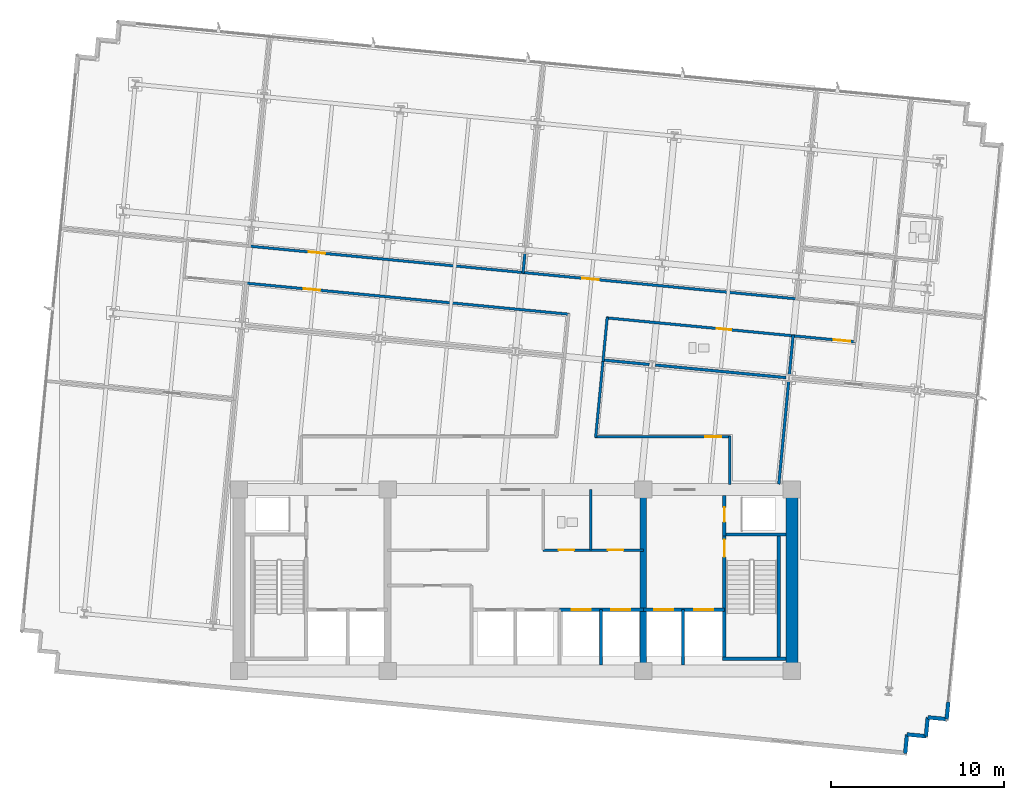
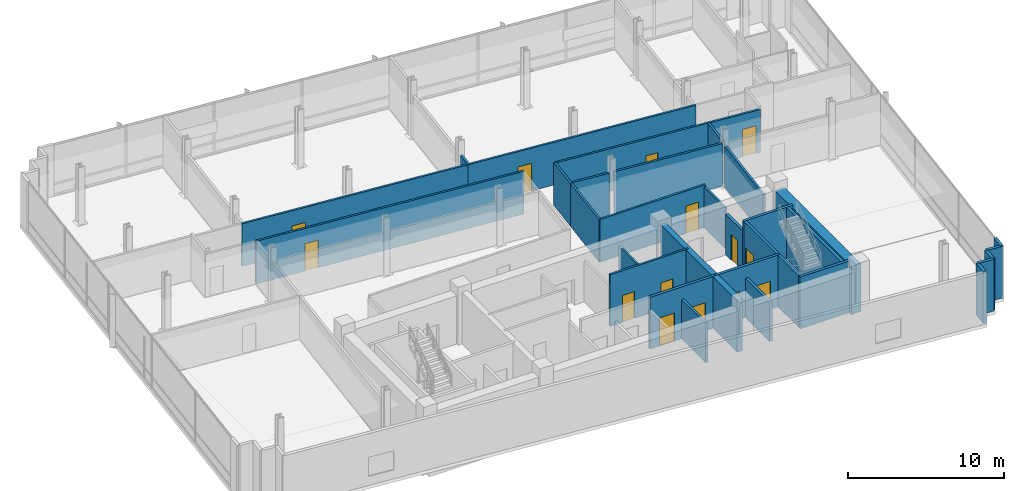
# One storey, part 12 of 17: 32 walls, 14 doors, 14 openings.
"""IFC4 building model written with IfcOpenShell, lengths in metres."""

import ifcopenshell
import ifcopenshell.guid

model = None  # the IFC model being written
_history = None  # IfcOwnerHistory: only IFC2X3 demands one
_inside = {}  # id of a spatial element -> (the spatial element, [elements in it])
_under = {}  # id of a project, library or spatial element -> (it, [spatial elements below it])
_declared = {}  # id of a project -> (the project, [libraries it declares])
_typed = {}  # id of a type object -> (the type object, [elements of that type])
_made_of = {}  # id of a material, layer set ... -> (it, [elements and type objects made of it])


def new_model(schema):
    """Start an empty IFC model of exactly this schema.

    Asked for "IFC4X3", IfcOpenShell would pick the latest addendum, in which some entities
    have other attributes; the version numbers below select the first issue.
    IFC2X3 requires an IfcOwnerHistory on every rooted entity: one is made here for all.
    """
    global model, _history
    if schema == "IFC4X3":
        model = ifcopenshell.file(schema_version=(4, 3, 0, 0))
    else:
        model = ifcopenshell.file(schema=schema)
    _inside.clear()
    _under.clear()
    _declared.clear()
    _typed.clear()
    _made_of.clear()
    _history = None
    if model.schema == "IFC2X3":
        org = make("IfcOrganization", Name="unknown")
        user = make(
            "IfcPersonAndOrganization",
            ThePerson=make("IfcPerson", FamilyName="unknown"),
            TheOrganization=org,
        )
        app = make(
            "IfcApplication",
            ApplicationDeveloper=org,
            Version="unknown",
            ApplicationFullName="unknown",
            ApplicationIdentifier="unknown",
        )
        _history = make(
            "IfcOwnerHistory",
            OwningUser=user,
            OwningApplication=app,
            ChangeAction="ADDED",
            CreationDate=0,
        )
    return model


def make(cls, **values):
    """One entity of the class cls with the attributes given. An attribute that is None is left unset."""
    return model.create_entity(
        cls, **{name: value for name, value in values.items() if value is not None}
    )


def rooted(cls, **values):
    """An entity with a GlobalId (a new one), such as an element, a storey or a relation."""
    return make(cls, GlobalId=ifcopenshell.guid.new(), OwnerHistory=_history, **values)


def si_unit(unit_type, name, prefix=None):
    """IfcSIUnit, for example si_unit("LENGTHUNIT", "METRE", prefix="MILLI")."""
    return make("IfcSIUnit", UnitType=unit_type, Prefix=prefix, Name=name)


def assignment(units):
    """IfcUnitAssignment: the units of a project."""
    return None if units is None else make("IfcUnitAssignment", Units=units)


def point(xyz):
    """IfcCartesianPoint."""
    return None if xyz is None else make("IfcCartesianPoint", Coordinates=xyz)


def direction(xyz):
    """IfcDirection."""
    return None if xyz is None else make("IfcDirection", DirectionRatios=xyz)


def frame(location, z_axis=None, x_axis=None):
    """IfcAxis2Placement3D, a coordinate frame: its origin and axes. An axis left out is left unset."""
    return make(
        "IfcAxis2Placement3D",
        Location=point(location),
        Axis=direction(z_axis),
        RefDirection=direction(x_axis),
    )


def frame_2d(location, x_axis=None):
    """IfcAxis2Placement2D, a coordinate frame in the plane: its origin and x axis."""
    return make(
        "IfcAxis2Placement2D", Location=point(location), RefDirection=direction(x_axis)
    )


def origin():
    """The frame at (0, 0, 0) with its axes left unset."""
    return frame((0.0, 0.0, 0.0))


def place(relative_to, where):
    """IfcLocalPlacement: puts the frame where relative to a parent placement (None: the world)."""
    return make(
        "IfcLocalPlacement", PlacementRelTo=relative_to, RelativePlacement=where
    )


def context(
    kind, dimensions, precision=None, world=None, true_north=None, identifier=None
):
    """IfcGeometricRepresentationContext, for example the 3D "Model" context."""
    return make(
        "IfcGeometricRepresentationContext",
        ContextIdentifier=identifier,
        ContextType=kind,
        CoordinateSpaceDimension=dimensions,
        Precision=precision,
        WorldCoordinateSystem=world,
        TrueNorth=true_north,
    )


def subcontext(parent, identifier, kind, view, scale=None):
    """IfcGeometricRepresentationSubContext, for example "Body" below "Model"."""
    return make(
        "IfcGeometricRepresentationSubContext",
        ContextIdentifier=identifier,
        ContextType=kind,
        ParentContext=parent,
        TargetScale=scale,
        TargetView=view,
    )


def project(units=None, contexts=None):
    """IfcProject with its units and contexts."""
    return rooted(
        "IfcProject",
        Name="project",
        RepresentationContexts=contexts,
        UnitsInContext=assignment(units),
    )


def spatial(cls, under=None, at=None, **own):
    """A site, building, storey or space (cls), placed at a placement, below another one or the project."""
    s = rooted(cls, ObjectPlacement=at, **own)
    if under is not None:
        _under.setdefault(under.id(), (under, []))[1].append(s)
    return s


def profile(cls, at=None, kind="AREA", **sizes):
    """A parametric profile (cls). Its sizes go by their IFC names, for example OverallWidth=200.0."""
    return make(cls, ProfileType=kind, Position=at, **sizes)


def rectangle(**sizes):
    """IfcRectangleProfileDef."""
    return profile("IfcRectangleProfileDef", **sizes)


def extrude(swept, where, along, depth):
    """IfcExtrudedAreaSolid: the profile swept, set in the frame where, extruded along a direction by depth."""
    return make(
        "IfcExtrudedAreaSolid",
        SweptArea=swept,
        Position=where,
        ExtrudedDirection=direction(along),
        Depth=depth,
    )


def shape(context_of_items, identifier, shape_type, items):
    """IfcShapeRepresentation: the items that make up one representation, for example the "Body"."""
    return make(
        "IfcShapeRepresentation",
        ContextOfItems=context_of_items,
        RepresentationIdentifier=identifier,
        RepresentationType=shape_type,
        Items=items,
    )


def material(Name=None, Category=None):
    """IfcMaterial."""
    return make("IfcMaterial", Name=Name, Category=Category)


def layer(
    of_material, thickness, ventilated=None, Name=None, Category=None, Priority=None
):
    """IfcMaterialLayer: one layer of a wall or slab, of a material (None: an air gap)."""
    return make(
        "IfcMaterialLayer",
        Material=of_material,
        LayerThickness=thickness,
        IsVentilated=ventilated,
        Name=Name,
        Category=Category,
        Priority=Priority,
    )


def layer_set(layers, Name=None):
    """IfcMaterialLayerSet."""
    return make("IfcMaterialLayerSet", MaterialLayers=layers, LayerSetName=Name)


def made_of(thing, what):
    """Note that an element or type object is made of a material, layer set ...; save() writes the relation."""
    if what is not None:
        _made_of.setdefault(what.id(), (what, []))[1].append(thing)
    return thing


def type_object(cls, material=None, **own):
    """A type object (cls), such as IfcWallType, which elements share."""
    return made_of(rooted(cls, **own), material)


def element(
    cls,
    number,
    at=None,
    inside=None,
    cuts=None,
    type_object=None,
    material=None,
    context=None,
    identifier="Body",
    shape_type=None,
    held_by="IfcProductDefinitionShape",
    body=None,
    shapes=None,
    **own,
):
    """One element of the class cls, such as IfcWall. Its Tag is "e" and its number.

    at: its placement. inside: the storey or other place that contains it. cuts: it is an
    opening in that element (IfcRelVoidsElement). A single representation is given by context,
    identifier, shape_type and body (its items); several are given by shapes. held_by: the class
    of the entity that holds the representations. save() writes the other relations.
    """
    e = rooted(cls, Tag="e%d" % number, ObjectPlacement=at, **own)
    if body is not None:
        shapes = [shape(context, identifier, shape_type, body)]
    if shapes is not None:
        e.Representation = make(held_by, Representations=shapes)
    if inside is not None:
        _inside.setdefault(inside.id(), (inside, []))[1].append(e)
    if cuts is not None:
        rooted(
            "IfcRelVoidsElement", RelatingBuildingElement=cuts, RelatedOpeningElement=e
        )
    if type_object is not None:
        _typed.setdefault(type_object.id(), (type_object, []))[1].append(e)
    return made_of(e, material)


def fill(opening, filler):
    """IfcRelFillsElement: the door or window that sits in an opening."""
    return rooted(
        "IfcRelFillsElement",
        RelatingOpeningElement=opening,
        RelatedBuildingElement=filler,
    )


def aggregate(whole, parts):
    """IfcRelAggregates: a whole, such as a stair, and the parts it consists of."""
    return rooted("IfcRelAggregates", RelatingObject=whole, RelatedObjects=parts)


def save(model, path):
    """Write the relations noted so far, then the file.

    IfcRelAggregates (storeys below a building ...), IfcRelContainedInSpatialStructure (elements
    in a storey), IfcRelDefinesByType, IfcRelAssociatesMaterial and IfcRelDeclares: one each for
    every whole, place, type object, material and project.
    """
    for whole, parts in _under.values():
        aggregate(whole, parts)
    for where, things in _inside.values():
        rooted(
            "IfcRelContainedInSpatialStructure",
            RelatedElements=things,
            RelatingStructure=where,
        )
    for kind, things in _typed.values():
        rooted("IfcRelDefinesByType", RelatedObjects=things, RelatingType=kind)
    for what, things in _made_of.values():
        rooted("IfcRelAssociatesMaterial", RelatedObjects=things, RelatingMaterial=what)
    for by, libraries in _declared.values():
        rooted("IfcRelDeclares", RelatingContext=by, RelatedDefinitions=libraries)
    model.write(path)


model = new_model("IFC4")

# Units and contexts
model_context = context("Model", 3, precision=1e-05, world=origin(), true_north=direction((0.0, 1.0)))
body_context = subcontext(model_context, "Body", "Model", "MODEL_VIEW")
ifc_project = project(units=[si_unit("LENGTHUNIT", "METRE"), si_unit("AREAUNIT", "SQUARE_METRE"), si_unit("VOLUMEUNIT", "CUBIC_METRE"), si_unit("PLANEANGLEUNIT", "RADIAN"), si_unit("MASSUNIT", "GRAM", prefix="KILO")], contexts=[model_context])

# Site, building, storey
site_placement = place(None, origin())
site = spatial("IfcSite", under=ifc_project, at=site_placement, CompositionType="ELEMENT")
building_placement = place(site_placement, origin())
building = spatial("IfcBuilding", under=site, at=building_placement, Name="Solmavex Isthmus Hotel", CompositionType="ELEMENT")
storey_placement = place(building_placement, frame((0.0, 0.0, 181.800048828125)))
storey = spatial("IfcBuildingStorey", under=building, at=storey_placement, Name="L49", CompositionType="ELEMENT", Elevation=181.800048828125)

# Walls
ifc_material_1 = material(Name="Precast Concrete C40/50", Category="concrete")
ifc_layer_1 = layer(ifc_material_1, 0.25)
ifc_layer_set_1 = layer_set([ifc_layer_1], Name="Precast Concrete C40/50")
wall_type_1 = type_object("IfcWallType", Name="EW-TWR-250", PredefinedType="STANDARD", material=ifc_layer_set_1)
wall_1_placement = place(storey_placement, frame((25.0615234375, -14.804931640625, 0.0), z_axis=(0.0, 0.0, 1.0), x_axis=(-0.095914428506, -0.995389583231, 0.0)))
element("IfcWall", 1, at=wall_1_placement, inside=storey, type_object=wall_type_1, Name="Serrated Corner Facade Panel L49-21", PredefinedType="STANDARD", context=body_context, shape_type="SweptSolid", body=[
    extrude(rectangle(XDim=0.990234375, YDim=0.219970703125, at=frame_2d((0.4951171875, 0.0))), origin(), (0.0, 0.0, 1.0), 4.050048828125),
])
for number, where, z_axis, x_axis, name in (
    (2, (24.966552734375, -15.79052734375, 0.0), (0.0, 0.0, 1.0), (-0.995393156894, 0.095877334176, 0.0), "Serrated Corner Facade Panel L49-22"),
    (3, (23.87158203125, -15.68505859375, 0.0), (0.0, 0.0, 1.0), (-0.095877334176, -0.995393156894, 0.0), "Serrated Corner Facade Panel L49-23"),
    (4, (23.76611328125, -16.780029296875, 0.0), (0.0, 0.0, 1.0), (-0.995393156894, 0.095877334176, 0.0), "Serrated Corner Facade Panel L49-24"),
    (5, (22.671142578125, -16.674560546875, 0.0), (0.0, 0.0, 1.0), (-0.095657429048, -0.995414313875, 0.0), "Serrated Corner Facade Panel L49-25"),
):
    element("IfcWall", number, at=place(storey_placement, frame(where, z_axis=z_axis, x_axis=x_axis)), inside=storey, type_object=wall_type_1, Name=name, PredefinedType="STANDARD", context=body_context, shape_type="SweptSolid", body=[
        extrude(rectangle(XDim=1.10009765625, YDim=0.219970703125, at=frame_2d((0.550048828125, 0.0))), origin(), (0.0, 0.0, 1.0), 4.050048828125),
    ])
ifc_material_2 = material(Name="Gypsum plasterboard lining", Category="gypsum")
ifc_layer_2 = layer(ifc_material_2, 0.159912109375)
ifc_layer_set_2 = layer_set([ifc_layer_2], Name="Gypsum plasterboard lining")
wall_type_2 = type_object("IfcWallType", Name="IW-COMP-160", PredefinedType="PARTITIONING", material=ifc_layer_set_2)
wall_2_placement = place(storey_placement, frame((0.55078125, 11.196044921875, 0.0), z_axis=(0.0, 0.0, 1.0), x_axis=(-0.096017994315, -0.995379598328, 0.0)))
element("IfcWall", 6, at=wall_2_placement, inside=storey, type_object=wall_type_2, Name="Interior Partition Wall W-L49-P023", PredefinedType="PARTITIONING", context=body_context, shape_type="SweptSolid", body=[
    extrude(rectangle(XDim=1.172119140625, YDim=0.159912109375, at=frame_2d((0.5859375, 0.0))), origin(), (0.0, 0.0, 1.0), 3.33935546875),
])
wall_3_placement = place(storey_placement, frame((16.07861328125, 6.44384765625, 0.0), z_axis=(0.0, 0.0, 1.0), x_axis=(-0.095794827695, -0.995401100555, 0.0)))
element("IfcWall", 7, at=wall_3_placement, inside=storey, type_object=wall_type_2, Name="Interior Partition Wall W-L49-P039", PredefinedType="PARTITIONING", context=body_context, shape_type="SweptSolid", body=[
    extrude(rectangle(XDim=2.314208984375, YDim=0.159912109375, at=frame_2d((1.1572265625, 0.0))), origin(), (0.0, 0.0, 1.0), 3.33935546875),
])
wall_4_placement = place(storey_placement, frame((7.745361328125, 4.74462890625, 0.0), z_axis=(0.0, 0.0, 1.0), x_axis=(-0.995392910691, 0.095879890208, 0.0)))
element("IfcWall", 8, at=wall_4_placement, inside=storey, type_object=wall_type_2, Name="Interior Partition Wall W-L49-P040", PredefinedType="PARTITIONING", context=body_context, shape_type="SweptSolid", body=[
    extrude(rectangle(XDim=2.721923828125, YDim=0.159912109375, at=frame_2d((1.36083984375, 0.0))), origin(), (0.0, 0.0, 1.0), 3.33935546875),
])
wall_5_placement = place(storey_placement, frame((15.664794921875, 3.982177734375, 0.0), z_axis=(0.0, 0.0, 1.0), x_axis=(-0.995396667246, 0.095840882902, 0.0)))
element("IfcWall", 9, at=wall_5_placement, inside=storey, type_object=wall_type_2, Name="Interior Partition Wall W-L49-P041", PredefinedType="PARTITIONING", context=body_context, shape_type="SweptSolid", body=[
    extrude(rectangle(XDim=7.603759765625, YDim=0.159912109375, at=frame_2d((3.8017578125, 0.0))), origin(), (0.0, 0.0, 1.0), 3.33935546875),
])
wall_6_placement = place(storey_placement, frame((15.8232421875, 3.7900390625, 0.0), z_axis=(0.0, 0.0, 1.0), x_axis=(-0.095865726078, -0.99539427493, 0.0)))
element("IfcWall", 10, at=wall_6_placement, inside=storey, type_object=wall_type_2, Name="Interior Partition Wall W-L49-P048", PredefinedType="PARTITIONING", context=body_context, shape_type="SweptSolid", body=[
    extrude(rectangle(XDim=6.007568359375, YDim=0.159912109375, at=frame_2d((3.00390625, 0.0))), origin(), (0.0, 0.0, 1.0), 3.195068359375),
])

# Wall, openings, doors
ifc_layer_3 = layer(ifc_material_2, 0.14990234375)
ifc_layer_set_3 = layer_set([ifc_layer_3], Name="Gypsum plasterboard lining")
wall_type_3 = type_object("IfcWallType", Name="IW-CORR-150", PredefinedType="PARTITIONING", material=ifc_layer_set_3)
wall_7_placement = place(storey_placement, frame((1.60009765625, -6.0, 0.0), z_axis=(0.0, 0.0, 1.0), x_axis=(1.0, 0.0, 0.0)))
wall_7 = element("IfcWall", 11, at=wall_7_placement, inside=storey, type_object=wall_type_3, Name="Interior Partition Wall W-L49-BOH-ES", PredefinedType="PARTITIONING", context=body_context, shape_type="SweptSolid", body=[
    extrude(rectangle(XDim=5.7998046875, YDim=0.14990234375, at=frame_2d((2.89990234375, 0.0))), origin(), (0.0, 0.0, 1.0), 4.050048828125),
])
opening_1_placement = place(wall_7_placement, frame((0.89990234375, 0.0, 0.0)))
opening_1 = element("IfcOpeningElement", 12, at=opening_1_placement, cuts=wall_7, Name="Opening ID-C090", PredefinedType="OPENING", context=body_context, shape_type="SweptSolid", body=[
    extrude(rectangle(XDim=0.89990234375, YDim=2.10009765625, at=frame_2d((0.449951171875, 1.050048828125))), frame((0.0, 0.0849609375, 0.0), z_axis=(0.0, -1.0, 0.0), x_axis=(1.0, 0.0, 0.0)), (0.0, 0.0, 1.0), 0.169921875),
])
opening_2_placement = place(wall_7_placement, frame((3.75, 0.0, 0.0)))
opening_2 = element("IfcOpeningElement", 13, at=opening_2_placement, cuts=wall_7, Name="Opening ID-C090", PredefinedType="OPENING", context=body_context, shape_type="SweptSolid", body=[
    extrude(rectangle(XDim=0.89990234375, YDim=2.10009765625, at=frame_2d((0.449951171875, 1.050048828125))), frame((0.0, 0.0849609375, 0.0), z_axis=(0.0, -1.0, 0.0), x_axis=(1.0, 0.0, 0.0)), (0.0, 0.0, 1.0), 0.169921875),
])
ifc_material_3 = material(Name="Hardwood timber", Category="wood")
door_type_1 = type_object("IfcDoorType", Name="IDR-FD60-0900", OperationType="NOTDEFINED", PredefinedType="DOOR", material=ifc_material_3)
door_1_placement = place(opening_1_placement, frame((0.89990234375, 0.0, 0.0), z_axis=(0.0, 0.0, 1.0), x_axis=(-1.0, 0.0, 0.0)))
door_1 = element("IfcDoor", 14, at=door_1_placement, inside=storey, type_object=door_type_1, Name="Staff WC Door L49", OperationType="SINGLE_SWING_RIGHT", OverallHeight=2.10009765625, OverallWidth=0.89990234375, PredefinedType="DOOR", context=body_context, shape_type="SweptSolid", body=[
    extrude(rectangle(XDim=0.89990234375, YDim=2.10009765625, at=frame_2d((0.449951171875, 1.050048828125))), frame((0.0, 0.02490234375, 0.0), z_axis=(0.0, -1.0, 0.0), x_axis=(1.0, 0.0, 0.0)), (0.0, 0.0, 1.0), 0.050048828125),
])
fill(opening_1, door_1)
door_2_placement = place(opening_2_placement, frame((0.89990234375, 0.0, 0.0), z_axis=(0.0, 0.0, 1.0), x_axis=(-1.0, 0.0, 0.0)))
door_2 = element("IfcDoor", 15, at=door_2_placement, inside=storey, type_object=door_type_1, Name="Pantry Door L49", OperationType="SINGLE_SWING_LEFT", OverallHeight=2.10009765625, OverallWidth=0.89990234375, PredefinedType="DOOR", context=body_context, shape_type="SweptSolid", body=[
    extrude(rectangle(XDim=0.89990234375, YDim=2.10009765625, at=frame_2d((0.449951171875, 1.050048828125))), frame((0.0, 0.02490234375, 0.0), z_axis=(0.0, -1.0, 0.0), x_axis=(1.0, 0.0, 0.0)), (0.0, 0.0, 1.0), 0.050048828125),
])
fill(opening_2, door_2)

# Wall, opening, door
wall_8_placement = place(storey_placement, frame((-15.478271484375, 11.60205078125, 0.0), z_axis=(0.0, 0.0, 1.0), x_axis=(0.995396443768, -0.095843203903, 0.0)))
wall_8 = element("IfcWall", 16, at=wall_8_placement, inside=storey, type_object=wall_type_3, Name="Interior Partition Wall W-L49-P002", PredefinedType="PARTITIONING", context=body_context, shape_type="SweptSolid", body=[
    extrude(rectangle(XDim=16.075927734375, YDim=0.14990234375, at=frame_2d((8.0380859375, 0.0))), origin(), (0.0, 0.0, 1.0), 3.33935546875),
])
opening_3_placement = place(wall_8_placement, frame((3.531982421875, 0.0, 0.0)))
opening_3 = element("IfcOpeningElement", 17, at=opening_3_placement, cuts=wall_8, Name="Opening ID-C095", PredefinedType="OPENING", context=body_context, shape_type="SweptSolid", body=[
    extrude(rectangle(XDim=0.949951171875, YDim=2.14990234375, at=frame_2d((0.47509765625, 1.074951171875))), frame((0.0, 0.0849609375, 0.0), z_axis=(0.0, -1.0, 0.0), x_axis=(1.0, 0.0, 0.0)), (0.0, 0.0, 1.0), 0.169921875),
])
door_type_2 = type_object("IfcDoorType", Name="IDR-FD60-0950", OperationType="NOTDEFINED", PredefinedType="DOOR", material=ifc_material_3)
door_3_placement = place(opening_3_placement, frame((0.949951171875, 0.0, 0.0), z_axis=(0.0, 0.0, 1.0), x_axis=(-1.0, 0.0, 0.0)))
door_3 = element("IfcDoor", 18, at=door_3_placement, inside=storey, type_object=door_type_2, Name="Corporate Briefing Office Door L49-02", OperationType="SINGLE_SWING_RIGHT", OverallHeight=2.14990234375, OverallWidth=0.949951171875, PredefinedType="DOOR", context=body_context, shape_type="SweptSolid", body=[
    extrude(rectangle(XDim=0.949951171875, YDim=2.14990234375, at=frame_2d((0.47509765625, 1.074951171875))), frame((0.0, 0.02490234375, 0.0), z_axis=(0.0, -1.0, 0.0), x_axis=(1.0, 0.0, 0.0)), (0.0, 0.0, 1.0), 0.050048828125),
])
fill(opening_3, door_3)

wall_9_placement = place(storey_placement, frame((0.360595703125, 10.076904296875, 0.0), z_axis=(0.0, 0.0, 1.0), x_axis=(0.995396443768, -0.095843203903, 0.0)))
wall_9 = element("IfcWall", 19, at=wall_9_placement, inside=storey, type_object=wall_type_3, Name="Interior Partition Wall W-L49-P003", PredefinedType="PARTITIONING", context=body_context, shape_type="SweptSolid", body=[
    extrude(rectangle(XDim=16.075927734375, YDim=0.14990234375, at=frame_2d((8.0380859375, 0.0))), origin(), (0.0, 0.0, 1.0), 3.33935546875),
])
opening_4_placement = place(wall_9_placement, frame((3.531982421875, 0.0, 0.0)))
opening_4 = element("IfcOpeningElement", 20, at=opening_4_placement, cuts=wall_9, Name="Opening ID-C095", PredefinedType="OPENING", context=body_context, shape_type="SweptSolid", body=[
    extrude(rectangle(XDim=0.949951171875, YDim=2.14990234375, at=frame_2d((0.47509765625, 1.074951171875))), frame((0.0, 0.0849609375, 0.0), z_axis=(0.0, -1.0, 0.0), x_axis=(1.0, 0.0, 0.0)), (0.0, 0.0, 1.0), 0.169921875),
])
door_4_placement = place(opening_4_placement, frame((0.949951171875, 0.0, 0.0), z_axis=(0.0, 0.0, 1.0), x_axis=(-1.0, 0.0, 0.0)))
door_4 = element("IfcDoor", 21, at=door_4_placement, inside=storey, type_object=door_type_2, Name="Corporate Briefing Office Door L49-03", OperationType="SINGLE_SWING_LEFT", OverallHeight=2.14990234375, OverallWidth=0.949951171875, PredefinedType="DOOR", context=body_context, shape_type="SweptSolid", body=[
    extrude(rectangle(XDim=0.949951171875, YDim=2.14990234375, at=frame_2d((0.47509765625, 1.074951171875))), frame((0.0, 0.02490234375, 0.0), z_axis=(0.0, -1.0, 0.0), x_axis=(1.0, 0.0, 0.0)), (0.0, 0.0, 1.0), 0.050048828125),
])
fill(opening_4, door_4)

wall_10_placement = place(storey_placement, frame((16.156494140625, 6.39599609375, 0.0), z_axis=(0.0, 0.0, 1.0), x_axis=(-0.99539478422, 0.095860437863, 0.0)))
wall_10 = element("IfcWall", 22, at=wall_10_placement, inside=storey, type_object=wall_type_3, Name="Interior Partition Wall W-L49-P005", PredefinedType="PARTITIONING", context=body_context, shape_type="SweptSolid", body=[
    extrude(rectangle(XDim=10.93603515625, YDim=0.14990234375, at=frame_2d((5.468017578125, 0.0))), origin(), (0.0, 0.0, 1.0), 3.33935546875),
])
opening_5_placement = place(wall_10_placement, frame((3.675048828125, 0.0, 0.0)))
opening_5 = element("IfcOpeningElement", 23, at=opening_5_placement, cuts=wall_10, Name="Opening ID-R085", PredefinedType="OPENING", context=body_context, shape_type="SweptSolid", body=[
    extrude(rectangle(XDim=0.85009765625, YDim=2.050048828125, at=frame_2d((0.425048828125, 1.02490234375))), frame((0.0, 0.0849609375, 0.0), z_axis=(0.0, -1.0, 0.0), x_axis=(1.0, 0.0, 0.0)), (0.0, 0.0, 1.0), 0.169921875),
])
ifc_material_4 = material(Name="Steel ASTM A500 Grade C", Category="steel")
door_type_3 = type_object("IfcDoorType", Name="IDR-FD60-0850", OperationType="NOTDEFINED", PredefinedType="DOOR", material=ifc_material_4)
door_5_placement = place(opening_5_placement, frame((0.85009765625, 0.0, 0.0), z_axis=(0.0, 0.0, 1.0), x_axis=(-1.0, 0.0, 0.0)))
door_5 = element("IfcDoor", 24, at=door_5_placement, inside=storey, type_object=door_type_3, Name="Accessible Public Restroom WC Door L49-08", OperationType="SINGLE_SWING_RIGHT", OverallHeight=2.050048828125, OverallWidth=0.85009765625, PredefinedType="DOOR", context=body_context, shape_type="SweptSolid", body=[
    extrude(rectangle(XDim=0.85009765625, YDim=2.050048828125, at=frame_2d((0.425048828125, 1.02490234375))), frame((0.0, 0.02490234375, 0.0), z_axis=(0.0, -1.0, 0.0), x_axis=(1.0, 0.0, 0.0)), (0.0, 0.0, 1.0), 0.050048828125),
])
fill(opening_5, door_5)

# Wall
wall_11_placement = place(storey_placement, frame((5.314453125, 7.480224609375, 0.0), z_axis=(0.0, 0.0, 1.0), x_axis=(-0.09587519517, -0.995393362923, 0.0)))
element("IfcWall", 25, at=wall_11_placement, inside=storey, type_object=wall_type_3, Name="Interior Partition Wall W-L49-P006", PredefinedType="PARTITIONING", context=body_context, shape_type="SweptSolid", body=[
    extrude(rectangle(XDim=2.572021484375, YDim=0.14990234375, at=frame_2d((1.2861328125, 0.0))), origin(), (0.0, 0.0, 1.0), 3.33935546875),
])

# Wall, opening, door
wall_12_placement = place(storey_placement, frame((19.697998046875, 6.05517578125, 0.0), z_axis=(0.0, 0.0, 1.0), x_axis=(-0.995397364202, 0.095833644092, 0.0)))
wall_12 = element("IfcWall", 26, at=wall_12_placement, inside=storey, type_object=wall_type_3, Name="Interior Partition Wall W-L49-P008", PredefinedType="PARTITIONING", context=body_context, shape_type="SweptSolid", body=[
    extrude(rectangle(XDim=3.721923828125, YDim=0.14990234375, at=frame_2d((1.86083984375, 0.0))), origin(), (0.0, 0.0, 1.0), 3.33935546875),
])
opening_6_placement = place(wall_12_placement, frame((0.315185546875, 0.0, 0.0)))
opening_6 = element("IfcOpeningElement", 27, at=opening_6_placement, cuts=wall_12, Name="Opening ID-C095", PredefinedType="OPENING", context=body_context, shape_type="SweptSolid", body=[
    extrude(rectangle(XDim=0.949951171875, YDim=2.14990234375, at=frame_2d((0.47509765625, 1.074951171875))), frame((0.0, 0.0849609375, 0.0), z_axis=(0.0, -1.0, 0.0), x_axis=(1.0, 0.0, 0.0)), (0.0, 0.0, 1.0), 0.169921875),
])
door_6_placement = place(opening_6_placement, frame((0.949951171875, 0.0, 0.0), z_axis=(0.0, 0.0, 1.0), x_axis=(-1.0, 0.0, 0.0)))
door_6 = element("IfcDoor", 28, at=door_6_placement, inside=storey, type_object=door_type_2, Name="Catering Servery Kitchen Door L49-09", OperationType="SINGLE_SWING_LEFT", OverallHeight=2.14990234375, OverallWidth=0.949951171875, PredefinedType="DOOR", context=body_context, shape_type="SweptSolid", body=[
    extrude(rectangle(XDim=0.949951171875, YDim=2.14990234375, at=frame_2d((0.47509765625, 1.074951171875))), frame((0.0, 0.02490234375, 0.0), z_axis=(0.0, -1.0, 0.0), x_axis=(1.0, 0.0, 0.0)), (0.0, 0.0, 1.0), 0.050048828125),
])
fill(opening_6, door_6)

wall_13_placement = place(storey_placement, frame((3.120849609375, 7.6513671875, 0.0), z_axis=(0.0, 0.0, 1.0), x_axis=(-0.995397135603, 0.095836018457, 0.0)))
wall_13 = element("IfcWall", 29, at=wall_13_placement, inside=storey, type_object=wall_type_3, Name="Interior Partition Wall W-L49-P010", PredefinedType="PARTITIONING", context=body_context, shape_type="SweptSolid", body=[
    extrude(rectangle(XDim=18.89208984375, YDim=0.14990234375, at=frame_2d((9.446044921875, 0.0))), origin(), (0.0, 0.0, 1.0), 3.33935546875),
])
opening_7_placement = place(wall_13_placement, frame((14.501708984375, 0.0, 0.0)))
opening_7 = element("IfcOpeningElement", 30, at=opening_7_placement, cuts=wall_13, Name="Opening ID-C095", PredefinedType="OPENING", context=body_context, shape_type="SweptSolid", body=[
    extrude(rectangle(XDim=0.949951171875, YDim=2.14990234375, at=frame_2d((0.47509765625, 1.074951171875))), frame((0.0, 0.0849609375, 0.0), z_axis=(0.0, -1.0, 0.0), x_axis=(1.0, 0.0, 0.0)), (0.0, 0.0, 1.0), 0.169921875),
])
door_7_placement = place(opening_7_placement, frame((0.949951171875, 0.0, 0.0), z_axis=(0.0, 0.0, 1.0), x_axis=(-1.0, 0.0, 0.0)))
door_7 = element("IfcDoor", 31, at=door_7_placement, inside=storey, type_object=door_type_2, Name="Consultation Treatment Room Door L49-10", OperationType="SINGLE_SWING_RIGHT", OverallHeight=2.14990234375, OverallWidth=0.949951171875, PredefinedType="DOOR", context=body_context, shape_type="SweptSolid", body=[
    extrude(rectangle(XDim=0.949951171875, YDim=2.14990234375, at=frame_2d((0.47509765625, 1.074951171875))), frame((0.0, 0.02490234375, 0.0), z_axis=(0.0, -1.0, 0.0), x_axis=(1.0, 0.0, 0.0)), (0.0, 0.0, 1.0), 0.050048828125),
])
fill(opening_7, door_7)

# Wall
wall_14_placement = place(storey_placement, frame((5.083740234375, 5.083251953125, 0.0), z_axis=(0.0, 0.0, 1.0), x_axis=(-0.095867331855, -0.995394120277, 0.0)))
element("IfcWall", 32, at=wall_14_placement, inside=storey, type_object=wall_type_3, Name="Interior Partition Wall W-L49-P011", PredefinedType="PARTITIONING", context=body_context, shape_type="SweptSolid", body=[
    extrude(rectangle(XDim=4.59423828125, YDim=0.14990234375, at=frame_2d((2.297119140625, 0.0))), origin(), (0.0, 0.0, 1.0), 3.33935546875),
])

# Wall, opening, door
wall_15_placement = place(storey_placement, frame((4.607177734375, 0.550048828125, 0.0), z_axis=(0.0, 0.0, 1.0), x_axis=(1.0, 0.0, 0.0)))
wall_15 = element("IfcWall", 33, at=wall_15_placement, inside=storey, type_object=wall_type_3, Name="Interior Partition Wall W-L49-P012", PredefinedType="PARTITIONING", context=body_context, shape_type="SweptSolid", body=[
    extrude(rectangle(XDim=7.832763671875, YDim=0.14990234375, at=frame_2d((3.91650390625, 0.0))), origin(), (0.0, 0.0, 1.0), 3.33935546875),
])
opening_8_placement = place(wall_15_placement, frame((6.3720703125, 0.0, 0.0)))
opening_8 = element("IfcOpeningElement", 34, at=opening_8_placement, cuts=wall_15, Name="Opening ID-C095", PredefinedType="OPENING", context=body_context, shape_type="SweptSolid", body=[
    extrude(rectangle(XDim=0.949951171875, YDim=2.14990234375, at=frame_2d((0.47509765625, 1.074951171875))), frame((0.0, 0.0849609375, 0.0), z_axis=(0.0, -1.0, 0.0), x_axis=(1.0, 0.0, 0.0)), (0.0, 0.0, 1.0), 0.169921875),
])
door_8_placement = place(opening_8_placement, origin())
door_8 = element("IfcDoor", 35, at=door_8_placement, inside=storey, type_object=door_type_2, Name="Catering Servery Kitchen Door L49-11", OperationType="SINGLE_SWING_LEFT", OverallHeight=2.14990234375, OverallWidth=0.949951171875, PredefinedType="DOOR", context=body_context, shape_type="SweptSolid", body=[
    extrude(rectangle(XDim=0.949951171875, YDim=2.14990234375, at=frame_2d((0.47509765625, 1.074951171875))), frame((0.0, 0.02490234375, 0.0), z_axis=(0.0, -1.0, 0.0), x_axis=(1.0, 0.0, 0.0)), (0.0, 0.0, 1.0), 0.050048828125),
])
fill(opening_8, door_8)

# Walls
wall_16_placement = place(storey_placement, frame((12.39990234375, 0.590087890625, 0.0), z_axis=(0.0, 0.0, 1.0), x_axis=(0.0, -1.0, 0.0)))
element("IfcWall", 36, at=wall_16_placement, inside=storey, type_object=wall_type_3, Name="Interior Partition Wall W-L49-P013", PredefinedType="PARTITIONING", context=body_context, shape_type="SweptSolid", body=[
    extrude(rectangle(XDim=2.780029296875, YDim=0.14990234375, at=frame_2d((1.39013671875, 0.0))), origin(), (0.0, 0.0, 1.0), 3.195068359375),
])
ifc_layer_4 = layer(ifc_material_2, 0.1201171875)
ifc_layer_set_4 = layer_set([ifc_layer_4], Name="Gypsum plasterboard lining")
wall_type_4 = type_object("IfcWallType", Name="IW-PART-120", PredefinedType="PARTITIONING", material=ifc_layer_set_4)
wall_17_placement = place(storey_placement, frame((4.35009765625, -6.0, 0.0), z_axis=(0.0, 0.0, 1.0), x_axis=(0.0, 1.0, 0.0)))
element("IfcWall", 37, at=wall_17_placement, inside=storey, type_object=wall_type_4, Name="Interior Partition Wall W-L49-BOH-EM0", PredefinedType="PARTITIONING", context=body_context, shape_type="SweptSolid", body=[
    extrude(rectangle(XDim=3.5, YDim=0.14990234375, at=frame_2d((1.75, 0.0))), origin(), (0.0, 0.0, 1.0), 3.195068359375),
])
ifc_material_5 = material(Name="Concrete C40/50", Category="concrete")
ifc_layer_5 = layer(ifc_material_5, 0.179931640625)
ifc_layer_set_5 = layer_set([ifc_layer_5], Name="Concrete C40/50")
wall_type_5 = type_object("IfcWallType", Name="IW-SHAFT-180", PredefinedType="PARTITIONING", material=ifc_layer_set_5)
wall_18_placement = place(storey_placement, frame((4.949951171875, -12.64990234375, 0.0), z_axis=(0.0, 0.0, 1.0), x_axis=(0.0, 1.0, 0.0)))
element("IfcWall", 38, at=wall_18_placement, inside=storey, type_object=wall_type_5, Name="Interior Partition Wall W-L49-SH-PLH-M", PredefinedType="PARTITIONING", context=body_context, shape_type="SweptSolid", body=[
    extrude(rectangle(XDim=3.199951171875, YDim=0.179931640625, at=frame_2d((1.60009765625, 0.0))), origin(), (0.0, 0.0, 1.0), 3.0849609375),
])

# Wall, opening, door
ifc_layer_6 = layer(ifc_material_5, 0.199951171875)
ifc_layer_set_6 = layer_set([ifc_layer_6], Name="Concrete C40/50")
wall_type_6 = type_object("IfcWallType", Name="IW-SHAFT-200", PredefinedType="PARTITIONING", material=ifc_layer_set_6)
wall_19_placement = place(storey_placement, frame((12.10009765625, -5.199951171875, 0.0), z_axis=(0.0, 0.0, 1.0), x_axis=(0.0, 1.0, 0.0)))
wall_19 = element("IfcWall", 39, at=wall_19_placement, inside=storey, type_object=wall_type_6, Name="Interior Partition Wall W-L49-RSE-W", PredefinedType="PARTITIONING", context=body_context, shape_type="SweptSolid", body=[
    extrude(rectangle(XDim=2.349853515625, YDim=0.199951171875, at=frame_2d((1.1748046875, 0.0))), origin(), (0.0, 0.0, 1.0), 3.195068359375),
])
opening_9_placement = place(wall_19_placement, frame((0.824951171875, 0.0, 0.0)))
opening_9 = element("IfcOpeningElement", 40, at=opening_9_placement, cuts=wall_19, Name="Opening ID-R085", PredefinedType="OPENING", context=body_context, shape_type="SweptSolid", body=[
    extrude(rectangle(XDim=0.85009765625, YDim=2.050048828125, at=frame_2d((0.425048828125, 1.02490234375))), frame((0.0, 0.10986328125, 0.0), z_axis=(0.0, -1.0, 0.0), x_axis=(1.0, 0.0, 0.0)), (0.0, 0.0, 1.0), 0.219970703125),
])
door_9_placement = place(opening_9_placement, frame((0.85009765625, 0.0, 0.0), z_axis=(0.0, 0.0, 1.0), x_axis=(-1.0, 0.0, 0.0)))
door_9 = element("IfcDoor", 41, at=door_9_placement, inside=storey, type_object=door_type_3, Name="Mechanical Riser Door L49", OperationType="SINGLE_SWING_LEFT", OverallHeight=2.050048828125, OverallWidth=0.85009765625, PredefinedType="DOOR", context=body_context, shape_type="SweptSolid", body=[
    extrude(rectangle(XDim=0.85009765625, YDim=2.050048828125, at=frame_2d((0.425048828125, 1.02490234375))), frame((0.0, 0.02490234375, 0.0), z_axis=(0.0, -1.0, 0.0), x_axis=(1.0, 0.0, 0.0)), (0.0, 0.0, 1.0), 0.050048828125),
])
fill(opening_9, door_9)

# Wall, openings, doors
wall_20_placement = place(storey_placement, frame((7.39990234375, -9.449951171875, 0.0), z_axis=(0.0, 0.0, 1.0), x_axis=(1.0, 0.0, 0.0)))
wall_20 = element("IfcWall", 42, at=wall_20_placement, inside=storey, type_object=wall_type_6, Name="Interior Partition Wall W-L49-FFLE-S", PredefinedType="PARTITIONING", context=body_context, shape_type="SweptSolid", body=[
    extrude(rectangle(XDim=4.7001953125, YDim=0.199951171875, at=frame_2d((2.35009765625, 0.0))), origin(), (0.0, 0.0, 1.0), 4.050048828125),
])
opening_10_placement = place(wall_20_placement, frame((2.949951171875, 0.0, 0.0)))
opening_10 = element("IfcOpeningElement", 43, at=opening_10_placement, cuts=wall_20, Name="Opening LD-FF", PredefinedType="OPENING", context=body_context, shape_type="SweptSolid", body=[
    extrude(rectangle(XDim=1.10009765625, YDim=2.199951171875, at=frame_2d((0.550048828125, 1.10009765625))), frame((0.0, 0.10986328125, 0.0), z_axis=(0.0, -1.0, 0.0), x_axis=(1.0, 0.0, 0.0)), (0.0, 0.0, 1.0), 0.219970703125),
])
opening_11_placement = place(wall_20_placement, frame((0.64990234375, 0.0, 0.0)))
opening_11 = element("IfcOpeningElement", 44, at=opening_11_placement, cuts=wall_20, Name="Opening LD-SV", PredefinedType="OPENING", context=body_context, shape_type="SweptSolid", body=[
    extrude(rectangle(XDim=1.10009765625, YDim=2.199951171875, at=frame_2d((0.550048828125, 1.10009765625))), frame((0.0, 0.10986328125, 0.0), z_axis=(0.0, -1.0, 0.0), x_axis=(1.0, 0.0, 0.0)), (0.0, 0.0, 1.0), 0.219970703125),
])
ifc_material_6 = material(Name="Stainless steel 316", Category="steel")
door_type_4 = type_object("IfcDoorType", Name="LDR-FF-1100", OperationType="NOTDEFINED", PredefinedType="DOOR", material=ifc_material_6)
door_10_placement = place(opening_10_placement, origin())
door_10 = element("IfcDoor", 45, at=door_10_placement, inside=storey, type_object=door_type_4, Name="Lift Landing Door FFL-2 L49", OperationType="SLIDING_TO_LEFT", OverallHeight=2.199951171875, OverallWidth=1.10009765625, PredefinedType="DOOR", context=body_context, shape_type="SweptSolid", body=[
    extrude(rectangle(XDim=1.10009765625, YDim=2.199951171875, at=frame_2d((0.550048828125, 1.10009765625))), frame((0.0, 0.02490234375, 0.0), z_axis=(0.0, -1.0, 0.0), x_axis=(1.0, 0.0, 0.0)), (0.0, 0.0, 1.0), 0.050048828125),
])
fill(opening_10, door_10)
door_type_5 = type_object("IfcDoorType", Name="LDR-SV-1100", OperationType="NOTDEFINED", PredefinedType="DOOR", material=ifc_material_6)
door_11_placement = place(opening_11_placement, origin())
door_11 = element("IfcDoor", 46, at=door_11_placement, inside=storey, type_object=door_type_5, Name="Lift Landing Door SVL-2 L49", OperationType="SLIDING_TO_RIGHT", OverallHeight=2.199951171875, OverallWidth=1.10009765625, PredefinedType="DOOR", context=body_context, shape_type="SweptSolid", body=[
    extrude(rectangle(XDim=1.10009765625, YDim=2.199951171875, at=frame_2d((0.550048828125, 1.10009765625))), frame((0.0, 0.02490234375, 0.0), z_axis=(0.0, -1.0, 0.0), x_axis=(1.0, 0.0, 0.0)), (0.0, 0.0, 1.0), 0.050048828125),
])
fill(opening_11, door_11)

# Wall
wall_21_placement = place(storey_placement, frame((9.699951171875, -12.64990234375, 0.0), z_axis=(0.0, 0.0, 1.0), x_axis=(0.0, 1.0, 0.0)))
element("IfcWall", 47, at=wall_21_placement, inside=storey, type_object=wall_type_6, Name="Interior Partition Wall W-L49-FFLE-M", PredefinedType="PARTITIONING", context=body_context, shape_type="SweptSolid", body=[
    extrude(rectangle(XDim=3.199951171875, YDim=0.199951171875, at=frame_2d((1.60009765625, 0.0))), origin(), (0.0, 0.0, 1.0), 3.0849609375),
])

# Wall, openings, doors
wall_22_placement = place(storey_placement, frame((2.550048828125, -9.449951171875, 0.0), z_axis=(0.0, 0.0, 1.0), x_axis=(1.0, 0.0, 0.0)))
wall_22 = element("IfcWall", 48, at=wall_22_placement, inside=storey, type_object=wall_type_6, Name="Interior Partition Wall W-L49-SH-PLH", PredefinedType="PARTITIONING", context=body_context, shape_type="SweptSolid", body=[
    extrude(rectangle(XDim=4.849853515625, YDim=0.199951171875, at=frame_2d((2.4248046875, 0.0))), origin(), (0.0, 0.0, 1.0), 4.050048828125),
])
opening_12_placement = place(wall_22_placement, frame((0.699951171875, 0.0, 0.0)))
opening_12 = element("IfcOpeningElement", 49, at=opening_12_placement, cuts=wall_22, Name="Opening LD-PL", PredefinedType="OPENING", context=body_context, shape_type="SweptSolid", body=[
    extrude(rectangle(XDim=1.10009765625, YDim=2.199951171875, at=frame_2d((0.550048828125, 1.10009765625))), frame((0.0, 0.10986328125, 0.0), z_axis=(0.0, -1.0, 0.0), x_axis=(1.0, 0.0, 0.0)), (0.0, 0.0, 1.0), 0.219970703125),
])
opening_13_placement = place(wall_22_placement, frame((3.0, 0.0, 0.0)))
opening_13 = element("IfcOpeningElement", 50, at=opening_13_placement, cuts=wall_22, Name="Opening LD-PL", PredefinedType="OPENING", context=body_context, shape_type="SweptSolid", body=[
    extrude(rectangle(XDim=1.10009765625, YDim=2.199951171875, at=frame_2d((0.550048828125, 1.10009765625))), frame((0.0, 0.10986328125, 0.0), z_axis=(0.0, -1.0, 0.0), x_axis=(1.0, 0.0, 0.0)), (0.0, 0.0, 1.0), 0.219970703125),
])
door_type_6 = type_object("IfcDoorType", Name="LDR-PL-1100", OperationType="NOTDEFINED", PredefinedType="DOOR", material=ifc_material_6)
door_12_placement = place(opening_12_placement, origin())
door_12 = element("IfcDoor", 51, at=door_12_placement, inside=storey, type_object=door_type_6, Name="Lift Landing Door PLH1 L49", OperationType="SLIDING_TO_LEFT", OverallHeight=2.199951171875, OverallWidth=1.10009765625, PredefinedType="DOOR", context=body_context, shape_type="SweptSolid", body=[
    extrude(rectangle(XDim=1.10009765625, YDim=2.199951171875, at=frame_2d((0.550048828125, 1.10009765625))), frame((0.0, 0.02490234375, 0.0), z_axis=(0.0, -1.0, 0.0), x_axis=(1.0, 0.0, 0.0)), (0.0, 0.0, 1.0), 0.050048828125),
])
fill(opening_12, door_12)
door_13_placement = place(opening_13_placement, origin())
door_13 = element("IfcDoor", 52, at=door_13_placement, inside=storey, type_object=door_type_6, Name="Lift Landing Door PLH2 L49", OperationType="SLIDING_TO_LEFT", OverallHeight=2.199951171875, OverallWidth=1.10009765625, PredefinedType="DOOR", context=body_context, shape_type="SweptSolid", body=[
    extrude(rectangle(XDim=1.10009765625, YDim=2.199951171875, at=frame_2d((0.550048828125, 1.10009765625))), frame((0.0, 0.02490234375, 0.0), z_axis=(0.0, -1.0, 0.0), x_axis=(1.0, 0.0, 0.0)), (0.0, 0.0, 1.0), 0.050048828125),
])
fill(opening_13, door_13)

# Walls
ifc_material_7 = material(Name="Concrete C60/75", Category="concrete")
ifc_layer_7 = layer(ifc_material_7, 0.39990234375)
ifc_layer_set_7 = layer_set([ifc_layer_7], Name="Concrete C60/75")
wall_type_7 = type_object("IfcWallType", Name="WALL-CW-400M", PredefinedType="SHEAR", material=ifc_layer_set_7)
wall_23_placement = place(storey_placement, frame((7.39990234375, -12.64990234375, 0.0), z_axis=(0.0, 0.0, 1.0), x_axis=(0.0, 1.0, 0.0)))
element("IfcWall", 53, at=wall_23_placement, inside=storey, type_object=wall_type_7, Name="Core Cross Shear Wall C2 L49", PredefinedType="SHEAR", context=body_context, shape_type="SweptSolid", body=[
    extrude(rectangle(XDim=9.7998046875, YDim=0.39990234375, at=frame_2d((4.89990234375, 0.0))), origin(), (0.0, 0.0, 1.0), 4.050048828125),
])
ifc_layer_8 = layer(ifc_material_7, 0.699951171875)
ifc_layer_set_8 = layer_set([ifc_layer_8], Name="Concrete C60/75")
wall_type_8 = type_object("IfcWallType", Name="WALL-CW-700", PredefinedType="SHEAR", material=ifc_layer_set_8)
wall_24_placement = place(storey_placement, frame((16.0, -12.64990234375, 0.0), z_axis=(0.0, 0.0, 1.0), x_axis=(0.0, 1.0, 0.0)))
element("IfcWall", 54, at=wall_24_placement, inside=storey, type_object=wall_type_8, Name="Core Shear Wall East L49", PredefinedType="SHEAR", context=body_context, shape_type="SweptSolid", body=[
    extrude(rectangle(XDim=9.7998046875, YDim=0.699951171875, at=frame_2d((4.89990234375, 0.0))), origin(), (0.0, 0.0, 1.0), 3.77001953125),
])
ifc_layer_9 = layer(ifc_material_5, 0.199951171875)
ifc_layer_set_9 = layer_set([ifc_layer_9], Name="Concrete C40/50")
wall_type_9 = type_object("IfcWallType", Name="WALL-SW-200", PredefinedType="SOLIDWALL", material=ifc_layer_set_9)
for number, where, z_axis, x_axis, name in (
    (55, (12.0, -12.300048828125, 0.0), (0.0, 0.0, 1.0), (1.0, 0.0, 0.0), "Stairwell Structural Wall SW-L49-ST2-S"),
    (56, (12.0, -5.10009765625, 0.0), (0.0, 0.0, 1.0), (1.0, 0.0, 0.0), "Stairwell Structural Wall SW-L49-ST2-N"),
):
    element("IfcWall", number, at=place(storey_placement, frame(where, z_axis=z_axis, x_axis=x_axis)), inside=storey, type_object=wall_type_9, Name=name, PredefinedType="SOLIDWALL", context=body_context, shape_type="SweptSolid", body=[
        extrude(rectangle(XDim=3.64990234375, YDim=0.199951171875, at=frame_2d((1.824951171875, 0.0))), origin(), (0.0, 0.0, 1.0), 4.050048828125),
    ])

# Wall, opening, door
wall_25_placement = place(storey_placement, frame((12.10009765625, -12.199951171875, 0.0), z_axis=(0.0, 0.0, 1.0), x_axis=(0.0, 1.0, 0.0)))
wall_25 = element("IfcWall", 57, at=wall_25_placement, inside=storey, type_object=wall_type_9, Name="Stairwell Structural Wall SW-L49-ST2-W", PredefinedType="SOLIDWALL", context=body_context, shape_type="SweptSolid", body=[
    extrude(rectangle(XDim=7.0, YDim=0.199951171875, at=frame_2d((3.5, 0.0))), origin(), (0.0, 0.0, 1.0), 4.050048828125),
])
opening_14_placement = place(wall_25_placement, frame((5.800048828125, 0.0, 0.0)))
opening_14 = element("IfcOpeningElement", 58, at=opening_14_placement, cuts=wall_25, Name="Opening ID-F100", PredefinedType="OPENING", context=body_context, shape_type="SweptSolid", body=[
    extrude(rectangle(XDim=1.0, YDim=2.10009765625, at=frame_2d((0.5, 1.050048828125))), frame((0.0, 0.10986328125, 0.0), z_axis=(0.0, -1.0, 0.0), x_axis=(1.0, 0.0, 0.0)), (0.0, 0.0, 1.0), 0.219970703125),
])
door_type_7 = type_object("IfcDoorType", Name="IDR-FD90-1000", OperationType="NOTDEFINED", PredefinedType="DOOR", material=ifc_material_4)
door_14_placement = place(opening_14_placement, origin())
door_14 = element("IfcDoor", 59, at=door_14_placement, inside=storey, type_object=door_type_7, Name="Stair ST-2 Fire Door L49", OperationType="SINGLE_SWING_RIGHT", OverallHeight=2.10009765625, OverallWidth=1.0, PredefinedType="DOOR", context=body_context, shape_type="SweptSolid", body=[
    extrude(rectangle(XDim=1.0, YDim=2.10009765625, at=frame_2d((0.5, 1.050048828125))), frame((0.0, 0.02490234375, 0.0), z_axis=(0.0, -1.0, 0.0), x_axis=(1.0, 0.0, 0.0)), (0.0, 0.0, 1.0), 0.050048828125),
])
fill(opening_14, door_14)

# Wall
wall_26_placement = place(storey_placement, frame((15.25, -12.199951171875, 0.0), z_axis=(0.0, 0.0, 1.0), x_axis=(0.0, 1.0, 0.0)))
element("IfcWall", 60, at=wall_26_placement, inside=storey, type_object=wall_type_9, Name="Stairwell Structural Wall SW-L49-ST2-E", PredefinedType="SOLIDWALL", context=body_context, shape_type="SweptSolid", body=[
    extrude(rectangle(XDim=7.0, YDim=0.199951171875, at=frame_2d((3.5, 0.0))), origin(), (0.0, 0.0, 1.0), 4.050048828125),
])

save(model, "model.ifc")
